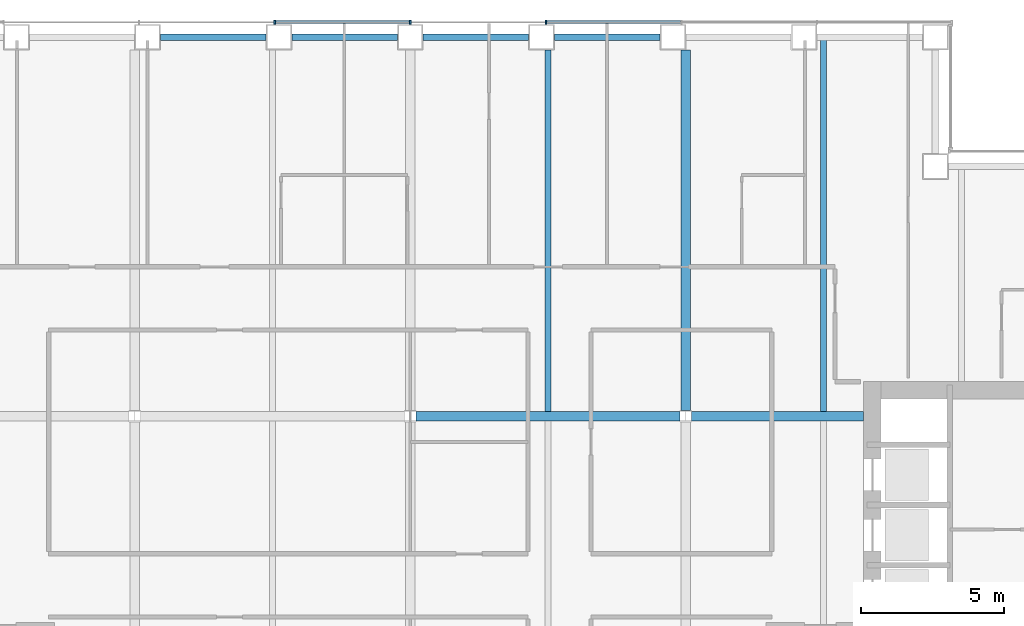
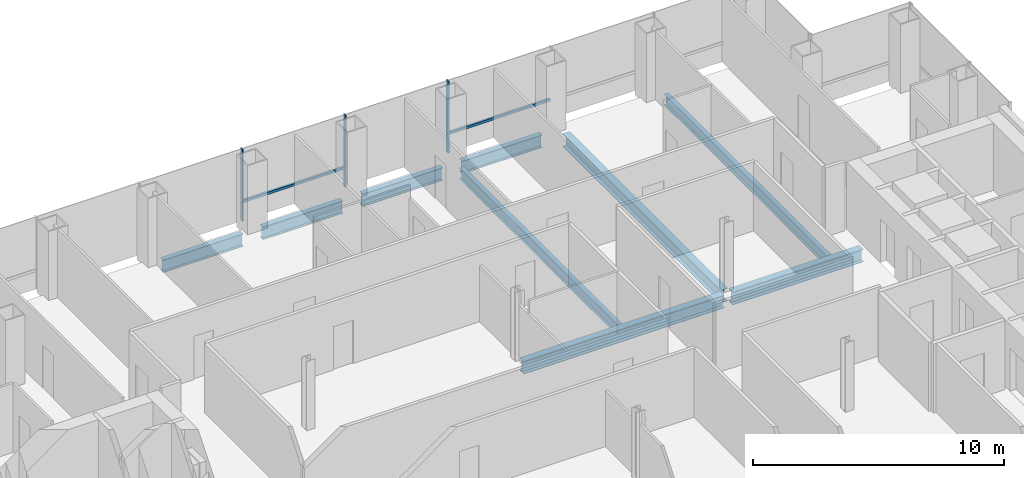
# One storey, part 7 of 16: 9 beams, 5 members, 1 element without a shape of its own.
"""IFC4 building model written with IfcOpenShell, lengths in metres."""

from ifc_helpers import new_model, si_unit, direction, frame, origin, origin_2d, place, context, subcontext, project, spatial, rectangle, i_section, extrude, material, material_profile, profile_set, type_object, element, aggregate, save


model = new_model("IFC4")

# Units and contexts
model_context = context("Model", 3, precision=1e-05, world=origin(), true_north=direction((0.0, 1.0)))
body_context = subcontext(model_context, "Body", "Model", "MODEL_VIEW")
ifc_project = project(units=[si_unit("LENGTHUNIT", "METRE"), si_unit("AREAUNIT", "SQUARE_METRE"), si_unit("VOLUMEUNIT", "CUBIC_METRE"), si_unit("PLANEANGLEUNIT", "RADIAN"), si_unit("MASSUNIT", "GRAM", prefix="KILO")], contexts=[model_context])

# Site, building, storey
site_placement = place(None, origin())
site = spatial("IfcSite", under=ifc_project, at=site_placement, CompositionType="ELEMENT")
building_placement = place(site_placement, origin())
building = spatial("IfcBuilding", under=site, at=building_placement, Name="Cobrizo Arcos Hotel Tower", CompositionType="ELEMENT")
storey_placement = place(building_placement, frame((0.0, 0.0, 113.5)))
storey = spatial("IfcBuildingStorey", under=building, at=storey_placement, Name="L28", CompositionType="ELEMENT", Elevation=113.5)

# Curtain wall, members
ifc_material_1 = material(Name="Aluminium 6063-T6 anodised bronze", Category="aluminium")
curtain_wall_type = type_object("IfcCurtainWallType", Name="CW-A guest facade", PredefinedType="NOTDEFINED", material=ifc_material_1)
curtain_wall_placement = place(storey_placement, origin())
curtain_wall = element("IfcCurtainWall", 1, at=curtain_wall_placement, inside=storey, type_object=curtain_wall_type, Name="CW-A L28 N face", PredefinedType="NOTDEFINED")
ifc_material_profile_1 = material_profile(ifc_material_1, rectangle(XDim=0.14990234375, YDim=0.06005859375, at=origin_2d()), Name="CW-A mullion 150x60")
ifc_profile_set_1 = profile_set([ifc_material_profile_1], Name="Aluminium 6063-T6 anodised bronze")
member_type_1 = type_object("IfcMemberType", Name="CW-A mullion 150x60", PredefinedType="MULLION", material=ifc_profile_set_1)
member_1_placement = place(storey_placement, frame((4.72509765625, 23.324951171875, 0.0), z_axis=(0.0, 0.0, 1.0), x_axis=(0.0, 1.0, 0.0)))
member_1 = element("IfcMember", 2, at=member_1_placement, type_object=member_type_1, Name="CW-A mullion 4", PredefinedType="MULLION", context=body_context, shape_type="SweptSolid", body=[
    extrude(rectangle(XDim=0.14990234375, YDim=0.06005859375, at=origin_2d()), origin(), (0.0, 0.0, 1.0), 3.5),
])
member_2_placement = place(storey_placement, frame((0.0, 23.324951171875, 0.0), z_axis=(0.0, 0.0, 1.0), x_axis=(0.0, 1.0, 0.0)))
member_2 = element("IfcMember", 3, at=member_2_placement, type_object=member_type_1, Name="CW-A mullion 5", PredefinedType="MULLION", context=body_context, shape_type="SweptSolid", body=[
    extrude(rectangle(XDim=0.14990234375, YDim=0.06005859375, at=origin_2d()), origin(), (0.0, 0.0, 1.0), 3.5),
])
member_3_placement = place(storey_placement, frame((-4.72509765625, 23.324951171875, 0.0), z_axis=(0.0, 0.0, 1.0), x_axis=(0.0, 1.0, 0.0)))
member_3 = element("IfcMember", 4, at=member_3_placement, type_object=member_type_1, Name="CW-A mullion 6", PredefinedType="MULLION", context=body_context, shape_type="SweptSolid", body=[
    extrude(rectangle(XDim=0.14990234375, YDim=0.06005859375, at=origin_2d()), origin(), (0.0, 0.0, 1.0), 3.5),
])
ifc_material_profile_2 = material_profile(ifc_material_1, rectangle(XDim=0.10009765625, YDim=0.1201171875, at=origin_2d()), Name="CW-A transom 120x100")
ifc_profile_set_2 = profile_set([ifc_material_profile_2], Name="Aluminium 6063-T6 anodised bronze")
member_type_2 = type_object("IfcMemberType", Name="CW-A transom 120x100", PredefinedType="USERDEFINED", material=ifc_profile_set_2)
member_4_placement = place(storey_placement, frame((9.419921875, 23.324951171875, 0.929931640625), z_axis=(-1.0, 0.0, 0.0), x_axis=(0.0, -1.0, 0.0)))
member_4 = element("IfcMember", 5, at=member_4_placement, type_object=member_type_2, Name="CW-A transom 1093", ObjectType="TRANSOM", PredefinedType="USERDEFINED", context=body_context, shape_type="SweptSolid", body=[
    extrude(rectangle(XDim=0.10009765625, YDim=0.1201171875, at=origin_2d()), origin(), (0.0, 0.0, 1.0), 4.6650390625),
])
member_5_placement = place(storey_placement, frame((-0.030029296875, 23.324951171875, 0.929931640625), z_axis=(-1.0, 0.0, 0.0), x_axis=(0.0, -1.0, 0.0)))
member_5 = element("IfcMember", 6, at=member_5_placement, type_object=member_type_2, Name="CW-A transom 1095", ObjectType="TRANSOM", PredefinedType="USERDEFINED", context=body_context, shape_type="SweptSolid", body=[
    extrude(rectangle(XDim=0.10009765625, YDim=0.1201171875, at=origin_2d()), origin(), (0.0, 0.0, 1.0), 4.6650390625),
])
aggregate(curtain_wall, [member_1, member_2, member_3, member_4, member_5])

# Beams
ifc_material_2 = material(Name="Steel ASTM A992 Grade 50", Category="steel")
ifc_material_profile_3 = material_profile(ifc_material_2, i_section(OverallWidth=0.209228515625, OverallDepth=0.533447265625, WebThickness=0.01025390625, FlangeThickness=0.015625, at=origin_2d()), Name="W21X62")
ifc_profile_set_3 = profile_set([ifc_material_profile_3], Name="Steel ASTM A992 Grade 50")
beam_type_1 = type_object("IfcBeamType", Name="W21X62 joist", PredefinedType="JOIST", material=ifc_profile_set_3)
beam_1_placement = place(storey_placement, frame((4.800048828125, 9.763916015625, -0.416748046875), z_axis=(0.0, 1.0, 0.0), x_axis=(-1.0, 0.0, 0.0)))
element("IfcBeam", 7, at=beam_1_placement, inside=storey, type_object=beam_type_1, Name="Floor joist J1, L28, no. 014", PredefinedType="JOIST", context=body_context, shape_type="SweptSolid", body=[
    extrude(i_section(OverallWidth=0.209228515625, OverallDepth=0.533447265625, WebThickness=0.01025390625, FlangeThickness=0.015625, at=origin_2d()), origin(), (0.0, 0.0, 1.0), 12.586181640625),
])
beam_2_placement = place(storey_placement, frame((14.39990234375, 9.763916015625, -0.416748046875), z_axis=(0.0, 1.0, 0.0), x_axis=(-1.0, 0.0, 0.0)))
element("IfcBeam", 8, at=beam_2_placement, inside=storey, type_object=beam_type_1, Name="Floor joist J1, L28, no. 018", PredefinedType="JOIST", context=body_context, shape_type="SweptSolid", body=[
    extrude(i_section(OverallWidth=0.209228515625, OverallDepth=0.533447265625, WebThickness=0.01025390625, FlangeThickness=0.015625, at=origin_2d()), origin(), (0.0, 0.0, 1.0), 12.946044921875),
])
ifc_material_profile_4 = material_profile(ifc_material_2, i_section(OverallWidth=0.32763671875, OverallDepth=0.622314453125, WebThickness=0.015380859375, FlangeThickness=0.0244140625, at=origin_2d()), Name="W24X131")
ifc_profile_set_4 = profile_set([ifc_material_profile_4], Name="Steel ASTM A992 Grade 50")
beam_type_2 = type_object("IfcBeamType", Name="W24X131 girder", PredefinedType="BEAM", material=ifc_profile_set_4)
beam_3_placement = place(storey_placement, frame((0.199462890625, 9.60009765625, -0.461181640625), z_axis=(1.0, 0.0, 0.0), x_axis=(0.0, 1.0, 0.0)))
element("IfcBeam", 9, at=beam_3_placement, inside=storey, type_object=beam_type_2, Name="Floor girder G1, L28, no. 011", PredefinedType="BEAM", context=body_context, shape_type="SweptSolid", body=[
    extrude(i_section(OverallWidth=0.32763671875, OverallDepth=0.622314453125, WebThickness=0.015380859375, FlangeThickness=0.0244140625, at=origin_2d()), origin(), (0.0, 0.0, 1.0), 9.201171875),
])
beam_4_placement = place(storey_placement, frame((9.79931640625, 9.60009765625, -0.461181640625), z_axis=(1.0, 0.0, 0.0), x_axis=(0.0, 1.0, 0.0)))
element("IfcBeam", 10, at=beam_4_placement, inside=storey, type_object=beam_type_2, Name="Floor girder G1, L28, no. 012", PredefinedType="BEAM", context=body_context, shape_type="SweptSolid", body=[
    extrude(i_section(OverallWidth=0.32763671875, OverallDepth=0.622314453125, WebThickness=0.015380859375, FlangeThickness=0.0244140625, at=origin_2d()), origin(), (0.0, 0.0, 1.0), 5.99072265625),
])
beam_5_placement = place(storey_placement, frame((9.60009765625, 9.79931640625, -0.461181640625), z_axis=(0.0, 1.0, 0.0), x_axis=(-1.0, 0.0, 0.0)))
element("IfcBeam", 11, at=beam_5_placement, inside=storey, type_object=beam_type_2, Name="Floor girder G1, L28, no. 024", PredefinedType="BEAM", context=body_context, shape_type="SweptSolid", body=[
    extrude(i_section(OverallWidth=0.32763671875, OverallDepth=0.622314453125, WebThickness=0.015380859375, FlangeThickness=0.0244140625, at=origin_2d()), origin(), (0.0, 0.0, 1.0), 12.55078125),
])
ifc_material_profile_5 = material_profile(ifc_material_2, i_section(OverallWidth=0.23046875, OverallDepth=0.6171875, WebThickness=0.01318359375, FlangeThickness=0.022216796875, at=origin_2d()), Name="W24X94")
ifc_profile_set_5 = profile_set([ifc_material_profile_5], Name="Steel ASTM A992 Grade 50")
beam_type_3 = type_object("IfcBeamType", Name="W24X94 spandrel", PredefinedType="SPANDREL", material=ifc_profile_set_5)
for number, where, z_axis, x_axis, name in (
    (12, (8.699951171875, 22.800048828125, -0.45849609375), (-1.0, 0.0, 0.0), (0.0, -1.0, 0.0), "Spandrel beam W24X94, L28, no. 019"),
    (13, (4.125, 22.800048828125, -0.45849609375), (-1.0, 0.0, 0.0), (0.0, -1.0, 0.0), "Spandrel beam W24X94, L28, no. 020"),
    (14, (-0.449951171875, 22.800048828125, -0.45849609375), (-1.0, 0.0, 0.0), (0.0, -1.0, 0.0), "Spandrel beam W24X94, L28, no. 021"),
    (15, (-5.02490234375, 22.800048828125, -0.45849609375), (-1.0, 0.0, 0.0), (0.0, -1.0, 0.0), "Spandrel beam W24X94, L28, no. 022"),
):
    element("IfcBeam", number, at=place(storey_placement, frame(where, z_axis=z_axis, x_axis=x_axis)), inside=storey, type_object=beam_type_3, Name=name, PredefinedType="SPANDREL", context=body_context, shape_type="SweptSolid", body=[
        extrude(i_section(OverallWidth=0.23046875, OverallDepth=0.6171875, WebThickness=0.01318359375, FlangeThickness=0.022216796875, at=origin_2d()), origin(), (0.0, 0.0, 1.0), 3.675048828125),
    ])

save(model, "model.ifc")
